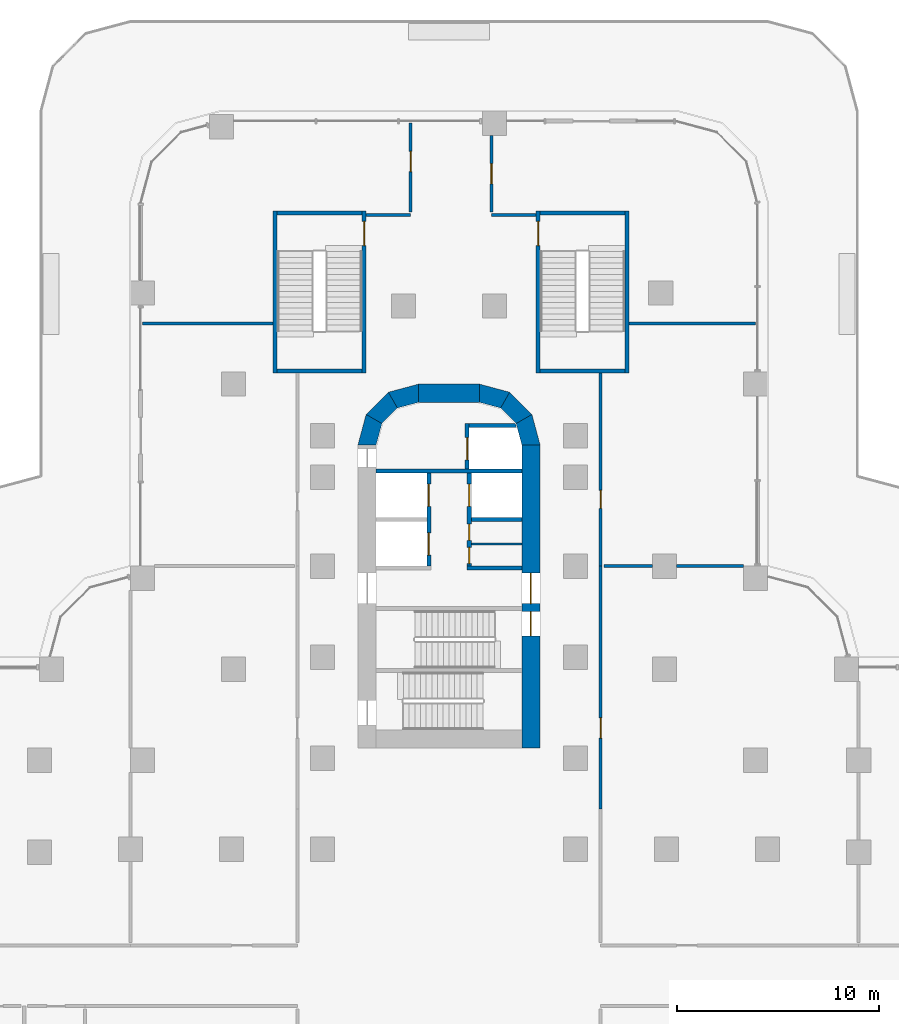
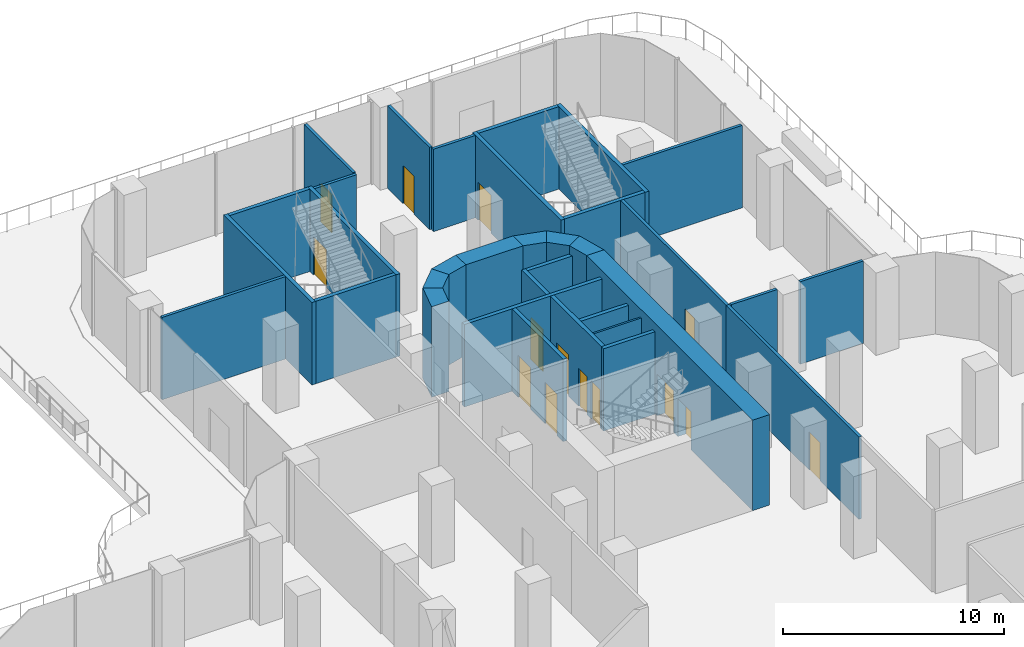
# One storey, part 19 of 27: 34 walls, 14 doors, 14 openings.
"""IFC4 building model written with IfcOpenShell, lengths in metres."""

from ifc_helpers import new_model, si_unit, direction, frame, frame_2d, origin, place, context, subcontext, project, spatial, polyline, rectangle, outline, extrude, material, layer, layer_set, type_object, element, fill, save


model = new_model("IFC4")

# Units and contexts
model_context = context("Model", 3, precision=1e-05, world=origin(), true_north=direction((0.0, 1.0)))
body_context = subcontext(model_context, "Body", "Model", "MODEL_VIEW")
ifc_project = project(units=[si_unit("LENGTHUNIT", "METRE"), si_unit("AREAUNIT", "SQUARE_METRE"), si_unit("VOLUMEUNIT", "CUBIC_METRE"), si_unit("PLANEANGLEUNIT", "RADIAN"), si_unit("MASSUNIT", "GRAM", prefix="KILO")], contexts=[model_context])

# Site, building, storey
site_placement = place(None, origin())
site = spatial("IfcSite", under=ifc_project, at=site_placement, CompositionType="ELEMENT")
building_placement = place(site_placement, origin())
building = spatial("IfcBuilding", under=site, at=building_placement, Name="Zarbagh Exchange Tower", CompositionType="ELEMENT")
storey_placement = place(building_placement, frame((0.0, 0.0, 17.0)))
storey = spatial("IfcBuildingStorey", under=building, at=storey_placement, Name="L03", CompositionType="ELEMENT", Elevation=17.0)

# Walls
ifc_material_1 = material(Name="Plasterboard partition")
ifc_layer_1 = layer(ifc_material_1, 0.14990234375)
ifc_layer_set_1 = layer_set([ifc_layer_1], Name="Board partition 150")
wall_type_1 = type_object("IfcWallType", Name="Board partition 150", PredefinedType="PARTITIONING", material=ifc_layer_set_1)
wall_1_placement = place(storey_placement, frame((-4.10009765625, 37.60009765625, 0.0), z_axis=(0.0, 0.0, 1.0), x_axis=(1.0, 0.0, 0.0)))
element("IfcWall", 1, at=wall_1_placement, inside=storey, type_object=wall_type_1, Name="WL-L03-W001", PredefinedType="PARTITIONING", context=body_context, shape_type="SweptSolid", body=[
    extrude(rectangle(XDim=2.2001953125, YDim=0.14990234375, at=frame_2d((1.10009765625, 0.0))), origin(), (0.0, 0.0, 1.0), 4.550048828125),
])
wall_2_placement = place(storey_placement, frame((2.10009765625, 37.60009765625, 0.0), z_axis=(0.0, 0.0, 1.0), x_axis=(1.0, 0.0, 0.0)))
element("IfcWall", 2, at=wall_2_placement, inside=storey, type_object=wall_type_1, Name="WL-L03-W002", PredefinedType="PARTITIONING", context=body_context, shape_type="SweptSolid", body=[
    extrude(rectangle(XDim=2.199951171875, YDim=0.14990234375, at=frame_2d((1.10009765625, 0.0))), origin(), (0.0, 0.0, 1.0), 4.550048828125),
])

# Wall, opening, door
wall_3_placement = place(storey_placement, frame((7.5, 20.25, 0.0), z_axis=(0.0, 0.0, 1.0), x_axis=(0.0, -1.0, 0.0)))
wall_3 = element("IfcWall", 3, at=wall_3_placement, inside=storey, type_object=wall_type_1, Name="WL-L03-W025", PredefinedType="PARTITIONING", context=body_context, shape_type="SweptSolid", body=[
    extrude(rectangle(XDim=12.0, YDim=0.14990234375, at=frame_2d((6.0, 0.0))), origin(), (0.0, 0.0, 1.0), 4.550048828125),
])
opening_1_placement = place(wall_3_placement, frame((7.5, 0.0, 0.0)))
opening_1 = element("IfcOpeningElement", 4, at=opening_1_placement, cuts=wall_3, Name="Opening D38", PredefinedType="OPENING", context=body_context, shape_type="SweptSolid", body=[
    extrude(rectangle(XDim=1.0, YDim=2.10009765625, at=frame_2d((0.5, 1.050048828125))), frame((0.0, 0.0849609375, 0.0), z_axis=(0.0, -1.0, 0.0), x_axis=(1.0, 0.0, 0.0)), (0.0, 0.0, 1.0), 0.169921875),
])
ifc_material_2 = material(Name="Timber door leaf", Category="wood")
door_type_1 = type_object("IfcDoorType", Name="Door single 1000x2100", OperationType="SINGLE_SWING_LEFT", PredefinedType="DOOR", material=ifc_material_2)
door_1_placement = place(opening_1_placement, origin())
door_1 = element("IfcDoor", 5, at=door_1_placement, inside=storey, type_object=door_type_1, Name="D04", OperationType="SINGLE_SWING_LEFT", OverallHeight=2.10009765625, OverallWidth=1.0, PredefinedType="DOOR", context=body_context, shape_type="SweptSolid", body=[
    extrude(rectangle(XDim=1.0, YDim=2.10009765625, at=frame_2d((0.5, 1.050048828125))), frame((0.0, 0.02490234375, 0.0), z_axis=(0.0, -1.0, 0.0), x_axis=(1.0, 0.0, 0.0)), (0.0, 0.0, 1.0), 0.050048828125),
])
fill(opening_1, door_1)

wall_4_placement = place(storey_placement, frame((7.5, 30.0, 0.0), z_axis=(0.0, 0.0, 1.0), x_axis=(0.0, -1.0, 0.0)))
wall_4 = element("IfcWall", 6, at=wall_4_placement, inside=storey, type_object=wall_type_1, Name="WL-L03-W026", PredefinedType="PARTITIONING", context=body_context, shape_type="SweptSolid", body=[
    extrude(rectangle(XDim=9.75, YDim=0.14990234375, at=frame_2d((4.875, 0.0))), origin(), (0.0, 0.0, 1.0), 4.550048828125),
])
opening_2_placement = place(wall_4_placement, frame((6.0, 0.0, 0.0)))
opening_2 = element("IfcOpeningElement", 7, at=opening_2_placement, cuts=wall_4, Name="Opening D41", PredefinedType="OPENING", context=body_context, shape_type="SweptSolid", body=[
    extrude(rectangle(XDim=0.89990234375, YDim=2.10009765625, at=frame_2d((0.449951171875, 1.050048828125))), frame((0.0, 0.0849609375, 0.0), z_axis=(0.0, -1.0, 0.0), x_axis=(1.0, 0.0, 0.0)), (0.0, 0.0, 1.0), 0.169921875),
])
door_type_2 = type_object("IfcDoorType", Name="Door single 900x2100", OperationType="SINGLE_SWING_LEFT", PredefinedType="DOOR", material=ifc_material_2)
door_2_placement = place(opening_2_placement, origin())
door_2 = element("IfcDoor", 8, at=door_2_placement, inside=storey, type_object=door_type_2, Name="D05", OperationType="SINGLE_SWING_LEFT", OverallHeight=2.10009765625, OverallWidth=0.89990234375, PredefinedType="DOOR", context=body_context, shape_type="SweptSolid", body=[
    extrude(rectangle(XDim=0.89990234375, YDim=2.10009765625, at=frame_2d((0.449951171875, 1.050048828125))), frame((0.0, 0.02490234375, 0.0), z_axis=(0.0, -1.0, 0.0), x_axis=(1.0, 0.0, 0.0)), (0.0, 0.0, 1.0), 0.050048828125),
])
fill(opening_2, door_2)

wall_5_placement = place(storey_placement, frame((2.10009765625, 41.550048828125, 0.0), z_axis=(0.0, 0.0, 1.0), x_axis=(0.0, -1.0, 0.0)))
wall_5 = element("IfcWall", 9, at=wall_5_placement, inside=storey, type_object=wall_type_1, Name="WL-L03-W041", PredefinedType="PARTITIONING", context=body_context, shape_type="SweptSolid", body=[
    extrude(rectangle(XDim=3.800048828125, YDim=0.14990234375, at=frame_2d((1.89990234375, 0.0))), origin(), (0.0, 0.0, 1.0), 4.550048828125),
])
opening_3_placement = place(wall_5_placement, frame((1.39990234375, 0.0, 0.0)))
opening_3 = element("IfcOpeningElement", 10, at=opening_3_placement, cuts=wall_5, Name="Opening D63", PredefinedType="OPENING", context=body_context, shape_type="SweptSolid", body=[
    extrude(rectangle(XDim=1.0, YDim=2.10009765625, at=frame_2d((0.5, 1.050048828125))), frame((0.0, 0.0849609375, 0.0), z_axis=(0.0, -1.0, 0.0), x_axis=(1.0, 0.0, 0.0)), (0.0, 0.0, 1.0), 0.169921875),
])
door_3_placement = place(opening_3_placement, origin())
door_3 = element("IfcDoor", 11, at=door_3_placement, inside=storey, type_object=door_type_1, Name="D18", OperationType="SINGLE_SWING_LEFT", OverallHeight=2.10009765625, OverallWidth=1.0, PredefinedType="DOOR", context=body_context, shape_type="SweptSolid", body=[
    extrude(rectangle(XDim=1.0, YDim=2.10009765625, at=frame_2d((0.5, 1.050048828125))), frame((0.0, 0.02490234375, 0.0), z_axis=(0.0, -1.0, 0.0), x_axis=(1.0, 0.0, 0.0)), (0.0, 0.0, 1.0), 0.050048828125),
])
fill(opening_3, door_3)

wall_6_placement = place(storey_placement, frame((-1.89990234375, 37.75, 0.0), z_axis=(0.0, 0.0, 1.0), x_axis=(0.0, 1.0, 0.0)))
wall_6 = element("IfcWall", 12, at=wall_6_placement, inside=storey, type_object=wall_type_1, Name="WL-L03-W042", PredefinedType="PARTITIONING", context=body_context, shape_type="SweptSolid", body=[
    extrude(rectangle(XDim=4.39990234375, YDim=0.14990234375, at=frame_2d((2.199951171875, 0.0))), origin(), (0.0, 0.0, 1.0), 4.550048828125),
])
opening_4_placement = place(wall_6_placement, frame((2.0, 0.0, 0.0)))
opening_4 = element("IfcOpeningElement", 13, at=opening_4_placement, cuts=wall_6, Name="Opening D19", PredefinedType="OPENING", context=body_context, shape_type="SweptSolid", body=[
    extrude(rectangle(XDim=1.0, YDim=2.10009765625, at=frame_2d((0.5, 1.050048828125))), frame((0.0, 0.0849609375, 0.0), z_axis=(0.0, -1.0, 0.0), x_axis=(1.0, 0.0, 0.0)), (0.0, 0.0, 1.0), 0.169921875),
])
door_4_placement = place(opening_4_placement, origin())
door_4 = element("IfcDoor", 14, at=door_4_placement, inside=storey, type_object=door_type_1, Name="D19", OperationType="SINGLE_SWING_LEFT", OverallHeight=2.10009765625, OverallWidth=1.0, PredefinedType="DOOR", context=body_context, shape_type="SweptSolid", body=[
    extrude(rectangle(XDim=1.0, YDim=2.10009765625, at=frame_2d((0.5, 1.050048828125))), frame((0.0, 0.02490234375, 0.0), z_axis=(0.0, -1.0, 0.0), x_axis=(1.0, 0.0, 0.0)), (0.0, 0.0, 1.0), 0.050048828125),
])
fill(opening_4, door_4)

# Walls
wall_7_placement = place(storey_placement, frame((7.64990234375, 20.25, 0.0), z_axis=(0.0, 0.0, 1.0), x_axis=(1.0, 0.0, 0.0)))
element("IfcWall", 15, at=wall_7_placement, inside=storey, type_object=wall_type_1, Name="WL-L03-W046", PredefinedType="PARTITIONING", context=body_context, shape_type="SweptSolid", body=[
    extrude(rectangle(XDim=2.400146484375, YDim=0.14990234375, at=frame_2d((1.2001953125, 0.0))), origin(), (0.0, 0.0, 1.0), 4.550048828125),
])
wall_8_placement = place(storey_placement, frame((11.25, 20.25, 0.0), z_axis=(0.0, 0.0, 1.0), x_axis=(1.0, 0.0, 0.0)))
element("IfcWall", 16, at=wall_8_placement, inside=storey, type_object=wall_type_1, Name="WL-L03-W047", PredefinedType="PARTITIONING", context=body_context, shape_type="SweptSolid", body=[
    extrude(rectangle(XDim=3.300048828125, YDim=0.14990234375, at=frame_2d((1.64990234375, 0.0))), origin(), (0.0, 0.0, 1.0), 4.550048828125),
])
wall_9_placement = place(storey_placement, frame((8.89990234375, 32.25, 0.0), z_axis=(0.0, 0.0, 1.0), x_axis=(1.0, 0.0, 0.0)))
element("IfcWall", 17, at=wall_9_placement, inside=storey, type_object=wall_type_1, Name="WL-L03-W049", PredefinedType="PARTITIONING", context=body_context, shape_type="SweptSolid", body=[
    extrude(rectangle(XDim=6.25, YDim=0.14990234375, at=frame_2d((3.125, 0.0))), origin(), (0.0, 0.0, 1.0), 4.550048828125),
])
wall_10_placement = place(storey_placement, frame((-15.14990234375, 32.25, 0.0), z_axis=(0.0, 0.0, 1.0), x_axis=(1.0, 0.0, 0.0)))
element("IfcWall", 18, at=wall_10_placement, inside=storey, type_object=wall_type_1, Name="WL-L03-W055", PredefinedType="PARTITIONING", context=body_context, shape_type="SweptSolid", body=[
    extrude(rectangle(XDim=6.449951171875, YDim=0.14990234375, at=frame_2d((3.22509765625, 0.0))), origin(), (0.0, 0.0, 1.0), 4.550048828125),
])
ifc_material_3 = material(Name="Dense blockwork", Category="masonry")
ifc_layer_2 = layer(ifc_material_3, 0.10009765625)
ifc_layer_set_2 = layer_set([ifc_layer_2], Name="Core partition 100 mm blockwork")
wall_type_2 = type_object("IfcWallType", Name="Core partition 100 mm blockwork", PredefinedType="PARTITIONING", material=ifc_layer_set_2)
wall_11_placement = place(storey_placement, frame((1.10009765625, 21.35009765625, 0.0), z_axis=(0.0, 0.0, 1.0), x_axis=(1.0, 0.0, 0.0)))
element("IfcWall", 19, at=wall_11_placement, inside=storey, type_object=wall_type_2, Name="North core partition wall CUT-E-700", PredefinedType="PARTITIONING", context=body_context, shape_type="SweptSolid", body=[
    extrude(rectangle(XDim=2.5, YDim=0.10009765625, at=frame_2d((1.25, 0.0))), origin(), (0.0, 0.0, 1.0), 4.550048828125),
])
ifc_material_4 = material(Name="Concrete C60/75", Category="concrete")
ifc_layer_3 = layer(ifc_material_4, 0.89990234375)
ifc_layer_set_3 = layer_set([ifc_layer_3], Name="RC core corner wall 900 C60/75")
wall_type_3 = type_object("IfcWallType", Name="RC core corner wall 900 C60/75", PredefinedType="SHEAR", material=ifc_layer_set_3)
wall_12_placement = place(storey_placement, origin())
element("IfcWall", 20, at=wall_12_placement, inside=storey, type_object=wall_type_3, Name="CW2 core N corner W", PredefinedType="SHEAR", context=body_context, shape_type="SweptSolid", body=[
    extrude(outline(polyline([(-4.5, 26.25), (-4.09814453125, 27.75), (-3.318603515625, 27.300048828125), (-3.60009765625, 26.25), (-4.5, 26.25)])), origin(), (0.0, 0.0, 1.0), 5.0),
])
wall_13_placement = place(storey_placement, origin())
element("IfcWall", 21, at=wall_13_placement, inside=storey, type_object=wall_type_3, Name="CW2 core N corner W", PredefinedType="SHEAR", context=body_context, shape_type="SweptSolid", body=[
    extrude(outline(polyline([(-4.09814453125, 27.75), (-3.0, 28.84814453125), (-2.550048828125, 28.068603515625), (-3.318603515625, 27.300048828125), (-4.09814453125, 27.75)])), origin(), (0.0, 0.0, 1.0), 5.0),
])
wall_14_placement = place(storey_placement, origin())
element("IfcWall", 22, at=wall_14_placement, inside=storey, type_object=wall_type_3, Name="CW2 core N corner W", PredefinedType="SHEAR", context=body_context, shape_type="SweptSolid", body=[
    extrude(outline(polyline([(-3.0, 28.84814453125), (-1.5, 29.25), (-1.5, 28.35009765625), (-2.550048828125, 28.068603515625), (-3.0, 28.84814453125)])), origin(), (0.0, 0.0, 1.0), 5.0),
])
wall_15_placement = place(storey_placement, origin())
element("IfcWall", 23, at=wall_15_placement, inside=storey, type_object=wall_type_3, Name="CW2 core N corner E", PredefinedType="SHEAR", context=body_context, shape_type="SweptSolid", body=[
    extrude(outline(polyline([(4.5, 26.25), (4.09814453125, 27.75), (3.318603515625, 27.300048828125), (3.60009765625, 26.25), (4.5, 26.25)])), origin(), (0.0, 0.0, 1.0), 5.0),
])
wall_16_placement = place(storey_placement, origin())
element("IfcWall", 24, at=wall_16_placement, inside=storey, type_object=wall_type_3, Name="CW2 core N corner E", PredefinedType="SHEAR", context=body_context, shape_type="SweptSolid", body=[
    extrude(outline(polyline([(4.09814453125, 27.75), (3.0, 28.84814453125), (2.550048828125, 28.068603515625), (3.318603515625, 27.300048828125), (4.09814453125, 27.75)])), origin(), (0.0, 0.0, 1.0), 5.0),
])
wall_17_placement = place(storey_placement, origin())
element("IfcWall", 25, at=wall_17_placement, inside=storey, type_object=wall_type_3, Name="CW2 core N corner E", PredefinedType="SHEAR", context=body_context, shape_type="SweptSolid", body=[
    extrude(outline(polyline([(3.0, 28.84814453125), (1.5, 29.25), (1.5, 28.35009765625), (2.550048828125, 28.068603515625), (3.0, 28.84814453125)])), origin(), (0.0, 0.0, 1.0), 5.0),
])

# Wall, openings, doors
ifc_layer_4 = layer(ifc_material_4, 0.89990234375)
ifc_layer_set_4 = layer_set([ifc_layer_4], Name="RC core wall 900 C60/75")
wall_type_4 = type_object("IfcWallType", Name="RC core wall 900 C60/75", PredefinedType="SHEAR", material=ifc_layer_set_4)
wall_18_placement = place(storey_placement, frame((4.050048828125, 11.25, 0.0), z_axis=(0.0, 0.0, 1.0), x_axis=(0.0, 1.0, 0.0)))
wall_18 = element("IfcWall", 26, at=wall_18_placement, inside=storey, type_object=wall_type_4, Name="CW1 core N E", PredefinedType="SHEAR", context=body_context, shape_type="SweptSolid", body=[
    extrude(rectangle(XDim=15.0, YDim=0.89990234375, at=frame_2d((7.5, 0.0))), origin(), (0.0, 0.0, 1.0), 5.0),
])
opening_5_placement = place(wall_18_placement, frame((7.14990234375, 0.0, 0.0)))
opening_5 = element("IfcOpeningElement", 27, at=opening_5_placement, cuts=wall_18, Name="Opening CD1-1500", PredefinedType="OPENING", context=body_context, shape_type="SweptSolid", body=[
    extrude(rectangle(XDim=1.5, YDim=2.300048828125, at=frame_2d((0.75, 1.14990234375))), frame((0.0, 0.4599609375, 0.0), z_axis=(0.0, -1.0, 0.0), x_axis=(1.0, 0.0, 0.0)), (0.0, 0.0, 1.0), 0.919921875),
])
opening_6_placement = place(wall_18_placement, frame((5.550048828125, 0.0, 0.0)))
opening_6 = element("IfcOpeningElement", 28, at=opening_6_placement, cuts=wall_18, Name="Opening SD1-1200", PredefinedType="OPENING", context=body_context, shape_type="SweptSolid", body=[
    extrude(rectangle(XDim=1.199951171875, YDim=2.10009765625, at=frame_2d((0.60009765625, 1.050048828125))), frame((0.0, 0.4599609375, 0.0), z_axis=(0.0, -1.0, 0.0), x_axis=(1.0, 0.0, 0.0)), (0.0, 0.0, 1.0), 0.919921875),
])
ifc_material_5 = material(Name="Steel", Category="steel")
door_type_3 = type_object("IfcDoorType", Name="Exit stair door 1200 x 2100", OperationType="NOTDEFINED", PredefinedType="DOOR", material=ifc_material_5)
door_5_placement = place(opening_6_placement, origin())
door_5 = element("IfcDoor", 29, at=door_5_placement, inside=storey, type_object=door_type_3, Name="North core stair door ST1", OperationType="SINGLE_SWING_LEFT", OverallHeight=2.10009765625, OverallWidth=1.199951171875, PredefinedType="DOOR", context=body_context, shape_type="SweptSolid", body=[
    extrude(rectangle(XDim=1.199951171875, YDim=2.10009765625, at=frame_2d((0.60009765625, 1.050048828125))), frame((0.0, 0.02490234375, 0.0), z_axis=(0.0, -1.0, 0.0), x_axis=(1.0, 0.0, 0.0)), (0.0, 0.0, 1.0), 0.050048828125),
])
fill(opening_6, door_5)
door_type_4 = type_object("IfcDoorType", Name="Lift lobby double door 1500 x 2300", OperationType="NOTDEFINED", PredefinedType="DOOR", material=ifc_material_5)
door_6_placement = place(opening_5_placement, origin())
door_6 = element("IfcDoor", 30, at=door_6_placement, inside=storey, type_object=door_type_4, Name="North core lift lobby door LOBBY-E", OperationType="DOUBLE_DOOR_SINGLE_SWING", OverallHeight=2.300048828125, OverallWidth=1.5, PredefinedType="DOOR", context=body_context, shape_type="SweptSolid", body=[
    extrude(rectangle(XDim=1.5, YDim=2.300048828125, at=frame_2d((0.75, 1.14990234375))), frame((0.0, 0.02490234375, 0.0), z_axis=(0.0, -1.0, 0.0), x_axis=(1.0, 0.0, 0.0)), (0.0, 0.0, 1.0), 0.050048828125),
])
fill(opening_5, door_6)

# Wall
wall_19_placement = place(storey_placement, frame((-1.5, 28.800048828125, 0.0), z_axis=(0.0, 0.0, 1.0), x_axis=(1.0, 0.0, 0.0)))
element("IfcWall", 31, at=wall_19_placement, inside=storey, type_object=wall_type_4, Name="CW1 core N outer end", PredefinedType="SHEAR", context=body_context, shape_type="SweptSolid", body=[
    extrude(rectangle(XDim=3.0, YDim=0.89990234375, at=frame_2d((1.5, 0.0))), origin(), (0.0, 0.0, 1.0), 5.0),
])

# Wall, openings, doors
ifc_layer_5 = layer(ifc_material_3, 0.199951171875)
ifc_layer_set_5 = layer_set([ifc_layer_5], Name="Shaft wall 200 mm blockwork")
wall_type_5 = type_object("IfcWallType", Name="Shaft wall 200 mm blockwork", PredefinedType="PARTITIONING", material=ifc_layer_set_5)
wall_20_placement = place(storey_placement, frame((-1.0, 24.85009765625, 0.0), z_axis=(0.0, 0.0, 1.0), x_axis=(0.0, -1.0, 0.0)))
wall_20 = element("IfcWall", 32, at=wall_20_placement, inside=storey, type_object=wall_type_5, Name="North core shaft wall LW-W", PredefinedType="PARTITIONING", context=body_context, shape_type="SweptSolid", body=[
    extrude(rectangle(XDim=4.60009765625, YDim=0.199951171875, at=frame_2d((2.300048828125, 0.0))), origin(), (0.0, 0.0, 1.0), 4.550048828125),
])
opening_7_placement = place(wall_20_placement, frame((0.550048828125, 0.0, 0.0)))
opening_7 = element("IfcOpeningElement", 33, at=opening_7_placement, cuts=wall_20, Name="Opening LD-1100", PredefinedType="OPENING", context=body_context, shape_type="SweptSolid", body=[
    extrude(rectangle(XDim=1.10009765625, YDim=2.300048828125, at=frame_2d((0.550048828125, 1.14990234375))), frame((0.0, 0.10986328125, 0.0), z_axis=(0.0, -1.0, 0.0), x_axis=(1.0, 0.0, 0.0)), (0.0, 0.0, 1.0), 0.219970703125),
])
opening_8_placement = place(wall_20_placement, frame((2.949951171875, 0.0, 0.0)))
opening_8 = element("IfcOpeningElement", 34, at=opening_8_placement, cuts=wall_20, Name="Opening LD-1100", PredefinedType="OPENING", context=body_context, shape_type="SweptSolid", body=[
    extrude(rectangle(XDim=1.10009765625, YDim=2.300048828125, at=frame_2d((0.550048828125, 1.14990234375))), frame((0.0, 0.10986328125, 0.0), z_axis=(0.0, -1.0, 0.0), x_axis=(1.0, 0.0, 0.0)), (0.0, 0.0, 1.0), 0.219970703125),
])
ifc_material_6 = material(Name="Stainless steel", Category="steel")
door_type_5 = type_object("IfcDoorType", Name="Lift landing door 1100 x 2300", OperationType="NOTDEFINED", PredefinedType="DOOR", material=ifc_material_6)
door_7_placement = place(opening_7_placement, origin())
door_7 = element("IfcDoor", 35, at=door_7_placement, inside=storey, type_object=door_type_5, Name="North core lift landing door LD-P-N1", OperationType="DOUBLE_DOOR_SLIDING", OverallHeight=2.300048828125, OverallWidth=1.10009765625, PredefinedType="DOOR", context=body_context, shape_type="SweptSolid", body=[
    extrude(rectangle(XDim=1.10009765625, YDim=2.300048828125, at=frame_2d((0.550048828125, 1.14990234375))), frame((0.0, 0.02490234375, 0.0), z_axis=(0.0, -1.0, 0.0), x_axis=(1.0, 0.0, 0.0)), (0.0, 0.0, 1.0), 0.050048828125),
])
fill(opening_7, door_7)
door_8_placement = place(opening_8_placement, origin())
door_8 = element("IfcDoor", 36, at=door_8_placement, inside=storey, type_object=door_type_5, Name="North core lift landing door LD-P-N2", OperationType="DOUBLE_DOOR_SLIDING", OverallHeight=2.300048828125, OverallWidth=1.10009765625, PredefinedType="DOOR", context=body_context, shape_type="SweptSolid", body=[
    extrude(rectangle(XDim=1.10009765625, YDim=2.300048828125, at=frame_2d((0.550048828125, 1.14990234375))), frame((0.0, 0.02490234375, 0.0), z_axis=(0.0, -1.0, 0.0), x_axis=(1.0, 0.0, 0.0)), (0.0, 0.0, 1.0), 0.050048828125),
])
fill(opening_8, door_8)

# Wall
wall_21_placement = place(storey_placement, frame((0.89990234375, 20.14990234375, 0.0), z_axis=(0.0, 0.0, 1.0), x_axis=(1.0, 0.0, 0.0)))
element("IfcWall", 37, at=wall_21_placement, inside=storey, type_object=wall_type_5, Name="North core shaft wall AB-E", PredefinedType="PARTITIONING", context=body_context, shape_type="SweptSolid", body=[
    extrude(rectangle(XDim=2.7001953125, YDim=0.199951171875, at=frame_2d((1.35009765625, 0.0))), origin(), (0.0, 0.0, 1.0), 4.550048828125),
])

# Wall, openings, doors
wall_22_placement = place(storey_placement, frame((1.0, 24.85009765625, 0.0), z_axis=(0.0, 0.0, 1.0), x_axis=(0.0, -1.0, 0.0)))
wall_22 = element("IfcWall", 38, at=wall_22_placement, inside=storey, type_object=wall_type_5, Name="North core shaft wall LW-E", PredefinedType="PARTITIONING", context=body_context, shape_type="SweptSolid", body=[
    extrude(rectangle(XDim=4.60009765625, YDim=0.199951171875, at=frame_2d((2.300048828125, 0.0))), origin(), (0.0, 0.0, 1.0), 4.550048828125),
])
opening_9_placement = place(wall_22_placement, frame((0.550048828125, 0.0, 0.0)))
opening_9 = element("IfcOpeningElement", 39, at=opening_9_placement, cuts=wall_22, Name="Opening LD-1100", PredefinedType="OPENING", context=body_context, shape_type="SweptSolid", body=[
    extrude(rectangle(XDim=1.10009765625, YDim=2.300048828125, at=frame_2d((0.550048828125, 1.14990234375))), frame((0.0, 0.10986328125, 0.0), z_axis=(0.0, -1.0, 0.0), x_axis=(1.0, 0.0, 0.0)), (0.0, 0.0, 1.0), 0.219970703125),
])
opening_10_placement = place(wall_22_placement, frame((2.52490234375, 0.0, 0.0)))
opening_10 = element("IfcOpeningElement", 40, at=opening_10_placement, cuts=wall_22, Name="Opening CD3-800", PredefinedType="OPENING", context=body_context, shape_type="SweptSolid", body=[
    extrude(rectangle(XDim=0.800048828125, YDim=2.10009765625, at=frame_2d((0.39990234375, 1.050048828125))), frame((0.0, 0.10986328125, 0.0), z_axis=(0.0, -1.0, 0.0), x_axis=(1.0, 0.0, 0.0)), (0.0, 0.0, 1.0), 0.219970703125),
])
opening_11_placement = place(wall_22_placement, frame((3.675048828125, 0.0, 0.0)))
opening_11 = element("IfcOpeningElement", 41, at=opening_11_placement, cuts=wall_22, Name="Opening CD3-800", PredefinedType="OPENING", context=body_context, shape_type="SweptSolid", body=[
    extrude(rectangle(XDim=0.800048828125, YDim=2.10009765625, at=frame_2d((0.39990234375, 1.050048828125))), frame((0.0, 0.10986328125, 0.0), z_axis=(0.0, -1.0, 0.0), x_axis=(1.0, 0.0, 0.0)), (0.0, 0.0, 1.0), 0.219970703125),
])
door_type_6 = type_object("IfcDoorType", Name="Core room door 800 x 2100", OperationType="NOTDEFINED", PredefinedType="DOOR", material=ifc_material_5)
door_9_placement = place(opening_10_placement, origin())
door_9 = element("IfcDoor", 42, at=door_9_placement, inside=storey, type_object=door_type_6, Name="North core Store door RD-E-0", OperationType="SINGLE_SWING_RIGHT", OverallHeight=2.10009765625, OverallWidth=0.800048828125, PredefinedType="DOOR", context=body_context, shape_type="SweptSolid", body=[
    extrude(rectangle(XDim=0.800048828125, YDim=2.10009765625, at=frame_2d((0.39990234375, 1.050048828125))), frame((0.0, 0.02490234375, 0.0), z_axis=(0.0, -1.0, 0.0), x_axis=(1.0, 0.0, 0.0)), (0.0, 0.0, 1.0), 0.050048828125),
])
fill(opening_10, door_9)
door_10_placement = place(opening_11_placement, origin())
door_10 = element("IfcDoor", 43, at=door_10_placement, inside=storey, type_object=door_type_6, Name="North core IT room door RD-E-1", OperationType="SINGLE_SWING_RIGHT", OverallHeight=2.10009765625, OverallWidth=0.800048828125, PredefinedType="DOOR", context=body_context, shape_type="SweptSolid", body=[
    extrude(rectangle(XDim=0.800048828125, YDim=2.10009765625, at=frame_2d((0.39990234375, 1.050048828125))), frame((0.0, 0.02490234375, 0.0), z_axis=(0.0, -1.0, 0.0), x_axis=(1.0, 0.0, 0.0)), (0.0, 0.0, 1.0), 0.050048828125),
])
fill(opening_11, door_10)
door_11_placement = place(opening_9_placement, origin())
door_11 = element("IfcDoor", 44, at=door_11_placement, inside=storey, type_object=door_type_5, Name="North core lift landing door LD-P-N3", OperationType="DOUBLE_DOOR_SLIDING", OverallHeight=2.300048828125, OverallWidth=1.10009765625, PredefinedType="DOOR", context=body_context, shape_type="SweptSolid", body=[
    extrude(rectangle(XDim=1.10009765625, YDim=2.300048828125, at=frame_2d((0.550048828125, 1.14990234375))), frame((0.0, 0.02490234375, 0.0), z_axis=(0.0, -1.0, 0.0), x_axis=(1.0, 0.0, 0.0)), (0.0, 0.0, 1.0), 0.050048828125),
])
fill(opening_9, door_11)

# Walls
wall_23_placement = place(storey_placement, frame((1.10009765625, 22.550048828125, 0.0), z_axis=(0.0, 0.0, 1.0), x_axis=(1.0, 0.0, 0.0)))
element("IfcWall", 45, at=wall_23_placement, inside=storey, type_object=wall_type_5, Name="North core shaft wall TR-E", PredefinedType="PARTITIONING", context=body_context, shape_type="SweptSolid", body=[
    extrude(rectangle(XDim=2.5, YDim=0.199951171875, at=frame_2d((1.25, 0.0))), origin(), (0.0, 0.0, 1.0), 4.550048828125),
])
ifc_material_7 = material(Name="Concrete C40/50", Category="concrete")
ifc_layer_6 = layer(ifc_material_7, 0.199951171875)
ifc_layer_set_6 = layer_set([ifc_layer_6], Name="Stair enclosure wall 200 mm RC C40/50")
wall_type_6 = type_object("IfcWallType", Name="Stair enclosure wall 200 mm RC C40/50", PredefinedType="SHEAR", material=ifc_layer_set_6)
wall_24_placement = place(storey_placement, frame((-3.60009765625, 24.949951171875, 0.0), z_axis=(0.0, 0.0, 1.0), x_axis=(1.0, 0.0, 0.0)))
element("IfcWall", 46, at=wall_24_placement, inside=storey, type_object=wall_type_6, Name="North core lift shaft wall FFA", PredefinedType="SHEAR", context=body_context, shape_type="SweptSolid", body=[
    extrude(rectangle(XDim=7.2001953125, YDim=0.199951171875, at=frame_2d((3.60009765625, 0.0))), origin(), (0.0, 0.0, 1.0), 4.550048828125),
])

# Wall, opening, door
wall_25_placement = place(storey_placement, frame((0.89990234375, 27.300048828125, 0.0), z_axis=(0.0, 0.0, 1.0), x_axis=(0.0, -1.0, 0.0)))
wall_25 = element("IfcWall", 47, at=wall_25_placement, inside=storey, type_object=wall_type_6, Name="North core lift shaft wall FFL", PredefinedType="SHEAR", context=body_context, shape_type="SweptSolid", body=[
    extrude(rectangle(XDim=2.25, YDim=0.199951171875, at=frame_2d((1.125, 0.0))), origin(), (0.0, 0.0, 1.0), 4.550048828125),
])
opening_12_placement = place(wall_25_placement, frame((0.699951171875, 0.0, 0.0)))
opening_12 = element("IfcOpeningElement", 48, at=opening_12_placement, cuts=wall_25, Name="Opening LD-1100", PredefinedType="OPENING", context=body_context, shape_type="SweptSolid", body=[
    extrude(rectangle(XDim=1.10009765625, YDim=2.300048828125, at=frame_2d((0.550048828125, 1.14990234375))), frame((0.0, 0.10986328125, 0.0), z_axis=(0.0, -1.0, 0.0), x_axis=(1.0, 0.0, 0.0)), (0.0, 0.0, 1.0), 0.219970703125),
])
door_12_placement = place(opening_12_placement, origin())
door_12 = element("IfcDoor", 49, at=door_12_placement, inside=storey, type_object=door_type_5, Name="North core lift landing door LD-F", OperationType="DOUBLE_DOOR_SLIDING", OverallHeight=2.300048828125, OverallWidth=1.10009765625, PredefinedType="DOOR", context=body_context, shape_type="SweptSolid", body=[
    extrude(rectangle(XDim=1.10009765625, YDim=2.300048828125, at=frame_2d((0.550048828125, 1.14990234375))), frame((0.0, 0.02490234375, 0.0), z_axis=(0.0, -1.0, 0.0), x_axis=(1.0, 0.0, 0.0)), (0.0, 0.0, 1.0), 0.050048828125),
])
fill(opening_12, door_12)

# Walls
wall_26_placement = place(storey_placement, origin())
element("IfcWall", 50, at=wall_26_placement, inside=storey, type_object=wall_type_6, Name="North core lift shaft wall FFX", PredefinedType="SHEAR", context=body_context, shape_type="SweptSolid", body=[
    extrude(outline(polyline([(1.0, 27.10009765625), (3.340576171875, 27.10009765625), (3.291259765625, 27.2841796875), (3.275390625, 27.300048828125), (1.0, 27.300048828125), (1.0, 27.10009765625)])), origin(), (0.0, 0.0, 1.0), 4.550048828125),
])
wall_27_placement = place(storey_placement, frame((-8.60009765625, 29.800048828125, 0.0), z_axis=(0.0, 0.0, 1.0), x_axis=(0.0, 1.0, 0.0)))
element("IfcWall", 51, at=wall_27_placement, inside=storey, type_object=wall_type_6, Name="Exit stair PS1 enclosure wall W", PredefinedType="SHEAR", context=body_context, shape_type="SweptSolid", body=[
    extrude(rectangle(XDim=8.0, YDim=0.199951171875, at=frame_2d((4.0, 0.0))), origin(), (0.0, 0.0, 1.0), 4.550048828125),
])

# Wall, opening, door
wall_28_placement = place(storey_placement, frame((-4.199951171875, 29.800048828125, 0.0), z_axis=(0.0, 0.0, 1.0), x_axis=(0.0, 1.0, 0.0)))
wall_28 = element("IfcWall", 52, at=wall_28_placement, inside=storey, type_object=wall_type_6, Name="Exit stair PS1 enclosure wall E", PredefinedType="SHEAR", context=body_context, shape_type="SweptSolid", body=[
    extrude(rectangle(XDim=8.0, YDim=0.199951171875, at=frame_2d((4.0, 0.0))), origin(), (0.0, 0.0, 1.0), 4.550048828125),
])
opening_13_placement = place(wall_28_placement, frame((6.300048828125, 0.0, 0.0)))
opening_13 = element("IfcOpeningElement", 53, at=opening_13_placement, cuts=wall_28, Name="Opening SD1-1200", PredefinedType="OPENING", context=body_context, shape_type="SweptSolid", body=[
    extrude(rectangle(XDim=1.199951171875, YDim=2.10009765625, at=frame_2d((0.60009765625, 1.050048828125))), frame((0.0, 0.10986328125, 0.0), z_axis=(0.0, -1.0, 0.0), x_axis=(1.0, 0.0, 0.0)), (0.0, 0.0, 1.0), 0.219970703125),
])
door_13_placement = place(opening_13_placement, origin())
door_13 = element("IfcDoor", 54, at=door_13_placement, inside=storey, type_object=door_type_3, Name="Exit stair PS1 entry door", OperationType="SINGLE_SWING_RIGHT", OverallHeight=2.10009765625, OverallWidth=1.199951171875, PredefinedType="DOOR", context=body_context, shape_type="SweptSolid", body=[
    extrude(rectangle(XDim=1.199951171875, YDim=2.10009765625, at=frame_2d((0.60009765625, 1.050048828125))), frame((0.0, 0.02490234375, 0.0), z_axis=(0.0, -1.0, 0.0), x_axis=(1.0, 0.0, 0.0)), (0.0, 0.0, 1.0), 0.050048828125),
])
fill(opening_13, door_13)

# Walls
for number, where, z_axis, x_axis, name in (
    (55, (-8.5, 29.89990234375, 0.0), (0.0, 0.0, 1.0), (1.0, 0.0, 0.0), "Exit stair PS1 enclosure wall S"),
    (56, (-8.5, 37.699951171875, 0.0), (0.0, 0.0, 1.0), (1.0, 0.0, 0.0), "Exit stair PS1 enclosure wall N"),
):
    element("IfcWall", number, at=place(storey_placement, frame(where, z_axis=z_axis, x_axis=x_axis)), inside=storey, type_object=wall_type_6, Name=name, PredefinedType="SHEAR", context=body_context, shape_type="SweptSolid", body=[
        extrude(rectangle(XDim=4.199951171875, YDim=0.199951171875, at=frame_2d((2.10009765625, 0.0))), origin(), (0.0, 0.0, 1.0), 4.550048828125),
    ])

# Wall, opening, door
wall_29_placement = place(storey_placement, frame((4.39990234375, 29.800048828125, 0.0), z_axis=(0.0, 0.0, 1.0), x_axis=(0.0, 1.0, 0.0)))
wall_29 = element("IfcWall", 57, at=wall_29_placement, inside=storey, type_object=wall_type_6, Name="Exit stair PS2 enclosure wall W", PredefinedType="SHEAR", context=body_context, shape_type="SweptSolid", body=[
    extrude(rectangle(XDim=8.0, YDim=0.199951171875, at=frame_2d((4.0, 0.0))), origin(), (0.0, 0.0, 1.0), 4.550048828125),
])
opening_14_placement = place(wall_29_placement, frame((6.300048828125, 0.0, 0.0)))
opening_14 = element("IfcOpeningElement", 58, at=opening_14_placement, cuts=wall_29, Name="Opening SD1-1200", PredefinedType="OPENING", context=body_context, shape_type="SweptSolid", body=[
    extrude(rectangle(XDim=1.199951171875, YDim=2.10009765625, at=frame_2d((0.60009765625, 1.050048828125))), frame((0.0, 0.10986328125, 0.0), z_axis=(0.0, -1.0, 0.0), x_axis=(1.0, 0.0, 0.0)), (0.0, 0.0, 1.0), 0.219970703125),
])
door_14_placement = place(opening_14_placement, origin())
door_14 = element("IfcDoor", 59, at=door_14_placement, inside=storey, type_object=door_type_3, Name="Exit stair PS2 entry door", OperationType="SINGLE_SWING_LEFT", OverallHeight=2.10009765625, OverallWidth=1.199951171875, PredefinedType="DOOR", context=body_context, shape_type="SweptSolid", body=[
    extrude(rectangle(XDim=1.199951171875, YDim=2.10009765625, at=frame_2d((0.60009765625, 1.050048828125))), frame((0.0, 0.02490234375, 0.0), z_axis=(0.0, -1.0, 0.0), x_axis=(1.0, 0.0, 0.0)), (0.0, 0.0, 1.0), 0.050048828125),
])
fill(opening_14, door_14)

# Walls
wall_30_placement = place(storey_placement, frame((8.800048828125, 29.800048828125, 0.0), z_axis=(0.0, 0.0, 1.0), x_axis=(0.0, 1.0, 0.0)))
element("IfcWall", 60, at=wall_30_placement, inside=storey, type_object=wall_type_6, Name="Exit stair PS2 enclosure wall E", PredefinedType="SHEAR", context=body_context, shape_type="SweptSolid", body=[
    extrude(rectangle(XDim=8.0, YDim=0.199951171875, at=frame_2d((4.0, 0.0))), origin(), (0.0, 0.0, 1.0), 4.550048828125),
])
for number, where, z_axis, x_axis, name in (
    (61, (4.5, 29.89990234375, 0.0), (0.0, 0.0, 1.0), (1.0, 0.0, 0.0), "Exit stair PS2 enclosure wall S"),
    (62, (4.5, 37.699951171875, 0.0), (0.0, 0.0, 1.0), (1.0, 0.0, 0.0), "Exit stair PS2 enclosure wall N"),
):
    element("IfcWall", number, at=place(storey_placement, frame(where, z_axis=z_axis, x_axis=x_axis)), inside=storey, type_object=wall_type_6, Name=name, PredefinedType="SHEAR", context=body_context, shape_type="SweptSolid", body=[
        extrude(rectangle(XDim=4.199951171875, YDim=0.199951171875, at=frame_2d((2.10009765625, 0.0))), origin(), (0.0, 0.0, 1.0), 4.550048828125),
    ])

save(model, "model.ifc")
